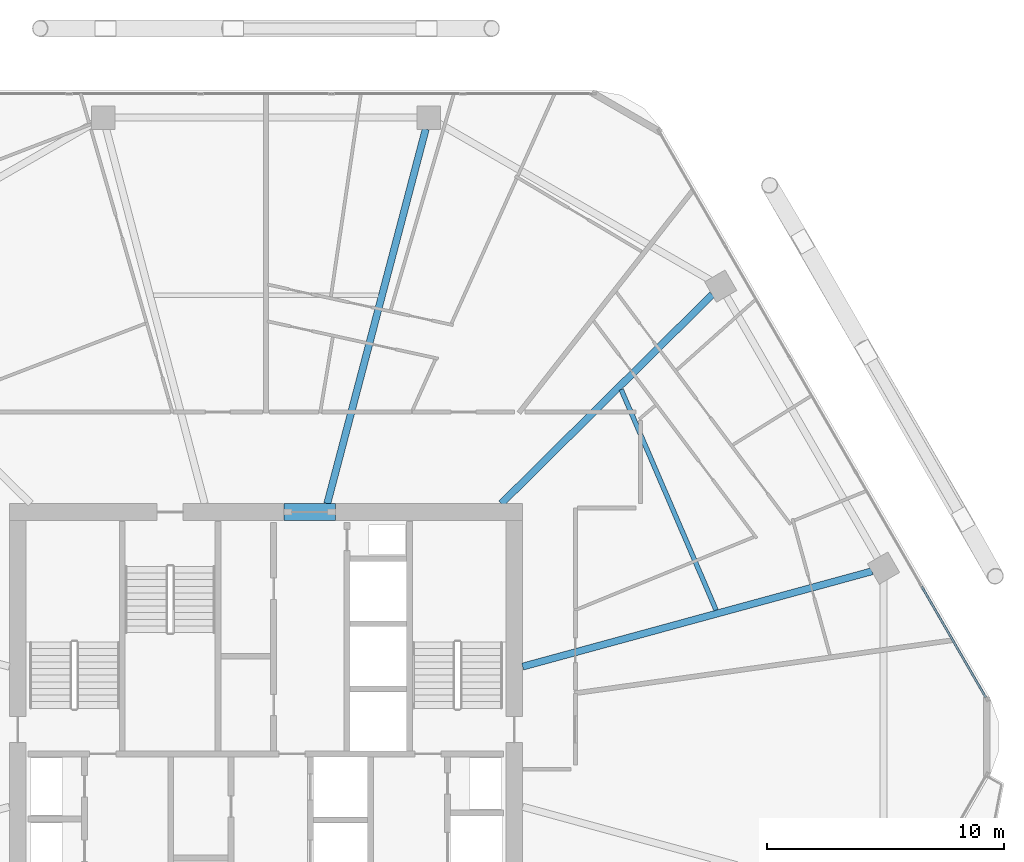
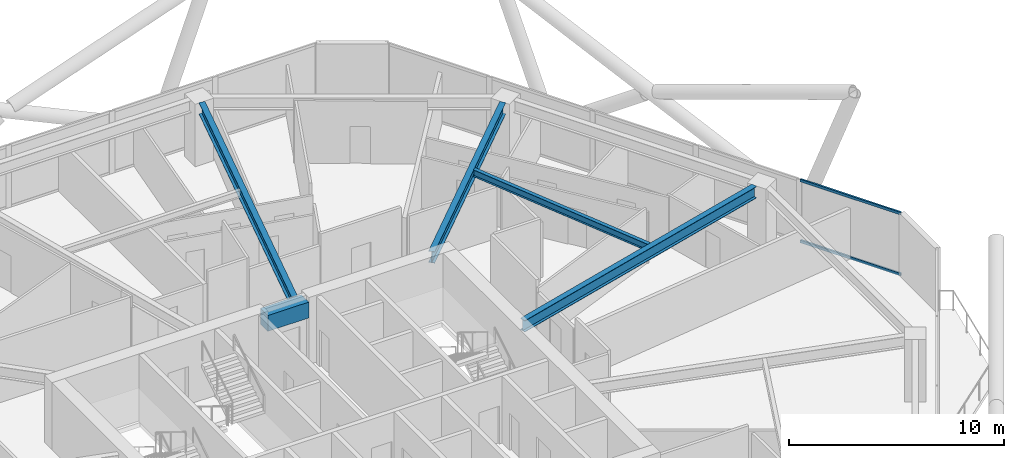
# One storey, part 15 of 28: 5 beams, 2 members, 1 element without a shape of its own.
"""IFC4 building model written with IfcOpenShell, lengths in metres."""

import ifcopenshell
import ifcopenshell.guid

model = None  # the IFC model being written
_history = None  # IfcOwnerHistory: only IFC2X3 demands one
_inside = {}  # id of a spatial element -> (the spatial element, [elements in it])
_under = {}  # id of a project, library or spatial element -> (it, [spatial elements below it])
_declared = {}  # id of a project -> (the project, [libraries it declares])
_typed = {}  # id of a type object -> (the type object, [elements of that type])
_made_of = {}  # id of a material, layer set ... -> (it, [elements and type objects made of it])


def new_model(schema):
    """Start an empty IFC model of exactly this schema.

    Asked for "IFC4X3", IfcOpenShell would pick the latest addendum, in which some entities
    have other attributes; the version numbers below select the first issue.
    IFC2X3 requires an IfcOwnerHistory on every rooted entity: one is made here for all.
    """
    global model, _history
    if schema == "IFC4X3":
        model = ifcopenshell.file(schema_version=(4, 3, 0, 0))
    else:
        model = ifcopenshell.file(schema=schema)
    _inside.clear()
    _under.clear()
    _declared.clear()
    _typed.clear()
    _made_of.clear()
    _history = None
    if model.schema == "IFC2X3":
        org = make("IfcOrganization", Name="unknown")
        user = make(
            "IfcPersonAndOrganization",
            ThePerson=make("IfcPerson", FamilyName="unknown"),
            TheOrganization=org,
        )
        app = make(
            "IfcApplication",
            ApplicationDeveloper=org,
            Version="unknown",
            ApplicationFullName="unknown",
            ApplicationIdentifier="unknown",
        )
        _history = make(
            "IfcOwnerHistory",
            OwningUser=user,
            OwningApplication=app,
            ChangeAction="ADDED",
            CreationDate=0,
        )
    return model


def make(cls, **values):
    """One entity of the class cls with the attributes given. An attribute that is None is left unset."""
    return model.create_entity(
        cls, **{name: value for name, value in values.items() if value is not None}
    )


def rooted(cls, **values):
    """An entity with a GlobalId (a new one), such as an element, a storey or a relation."""
    return make(cls, GlobalId=ifcopenshell.guid.new(), OwnerHistory=_history, **values)


def si_unit(unit_type, name, prefix=None):
    """IfcSIUnit, for example si_unit("LENGTHUNIT", "METRE", prefix="MILLI")."""
    return make("IfcSIUnit", UnitType=unit_type, Prefix=prefix, Name=name)


def assignment(units):
    """IfcUnitAssignment: the units of a project."""
    return None if units is None else make("IfcUnitAssignment", Units=units)


def point(xyz):
    """IfcCartesianPoint."""
    return None if xyz is None else make("IfcCartesianPoint", Coordinates=xyz)


def direction(xyz):
    """IfcDirection."""
    return None if xyz is None else make("IfcDirection", DirectionRatios=xyz)


def frame(location, z_axis=None, x_axis=None):
    """IfcAxis2Placement3D, a coordinate frame: its origin and axes. An axis left out is left unset."""
    return make(
        "IfcAxis2Placement3D",
        Location=point(location),
        Axis=direction(z_axis),
        RefDirection=direction(x_axis),
    )


def frame_2d(location, x_axis=None):
    """IfcAxis2Placement2D, a coordinate frame in the plane: its origin and x axis."""
    return make(
        "IfcAxis2Placement2D", Location=point(location), RefDirection=direction(x_axis)
    )


def origin():
    """The frame at (0, 0, 0) with its axes left unset."""
    return frame((0.0, 0.0, 0.0))


def origin_2d():
    """The frame at (0, 0) in the plane with its x axis left unset."""
    return frame_2d((0.0, 0.0))


def place(relative_to, where):
    """IfcLocalPlacement: puts the frame where relative to a parent placement (None: the world)."""
    return make(
        "IfcLocalPlacement", PlacementRelTo=relative_to, RelativePlacement=where
    )


def context(
    kind, dimensions, precision=None, world=None, true_north=None, identifier=None
):
    """IfcGeometricRepresentationContext, for example the 3D "Model" context."""
    return make(
        "IfcGeometricRepresentationContext",
        ContextIdentifier=identifier,
        ContextType=kind,
        CoordinateSpaceDimension=dimensions,
        Precision=precision,
        WorldCoordinateSystem=world,
        TrueNorth=true_north,
    )


def subcontext(parent, identifier, kind, view, scale=None):
    """IfcGeometricRepresentationSubContext, for example "Body" below "Model"."""
    return make(
        "IfcGeometricRepresentationSubContext",
        ContextIdentifier=identifier,
        ContextType=kind,
        ParentContext=parent,
        TargetScale=scale,
        TargetView=view,
    )


def project(units=None, contexts=None):
    """IfcProject with its units and contexts."""
    return rooted(
        "IfcProject",
        Name="project",
        RepresentationContexts=contexts,
        UnitsInContext=assignment(units),
    )


def spatial(cls, under=None, at=None, **own):
    """A site, building, storey or space (cls), placed at a placement, below another one or the project."""
    s = rooted(cls, ObjectPlacement=at, **own)
    if under is not None:
        _under.setdefault(under.id(), (under, []))[1].append(s)
    return s


def profile(cls, at=None, kind="AREA", **sizes):
    """A parametric profile (cls). Its sizes go by their IFC names, for example OverallWidth=200.0."""
    return make(cls, ProfileType=kind, Position=at, **sizes)


def rectangle(**sizes):
    """IfcRectangleProfileDef."""
    return profile("IfcRectangleProfileDef", **sizes)


def hollow_rectangle(**sizes):
    """IfcRectangleHollowProfileDef."""
    return profile("IfcRectangleHollowProfileDef", **sizes)


def i_section(**sizes):
    """IfcIShapeProfileDef."""
    return profile("IfcIShapeProfileDef", **sizes)


def extrude(swept, where, along, depth):
    """IfcExtrudedAreaSolid: the profile swept, set in the frame where, extruded along a direction by depth."""
    return make(
        "IfcExtrudedAreaSolid",
        SweptArea=swept,
        Position=where,
        ExtrudedDirection=direction(along),
        Depth=depth,
    )


def shape(context_of_items, identifier, shape_type, items):
    """IfcShapeRepresentation: the items that make up one representation, for example the "Body"."""
    return make(
        "IfcShapeRepresentation",
        ContextOfItems=context_of_items,
        RepresentationIdentifier=identifier,
        RepresentationType=shape_type,
        Items=items,
    )


def material(Name=None, Category=None):
    """IfcMaterial."""
    return make("IfcMaterial", Name=Name, Category=Category)


def material_profile(
    of_material, cross_section, Name=None, Category=None, Priority=None
):
    """IfcMaterialProfile: a cross section and its material."""
    return make(
        "IfcMaterialProfile",
        Name=Name,
        Material=of_material,
        Profile=cross_section,
        Priority=Priority,
        Category=Category,
    )


def profile_set(profiles, Name=None, composite=None):
    """IfcMaterialProfileSet."""
    return make(
        "IfcMaterialProfileSet",
        Name=Name,
        MaterialProfiles=profiles,
        CompositeProfile=composite,
    )


def made_of(thing, what):
    """Note that an element or type object is made of a material, layer set ...; save() writes the relation."""
    if what is not None:
        _made_of.setdefault(what.id(), (what, []))[1].append(thing)
    return thing


def type_object(cls, material=None, **own):
    """A type object (cls), such as IfcWallType, which elements share."""
    return made_of(rooted(cls, **own), material)


def element(
    cls,
    number,
    at=None,
    inside=None,
    cuts=None,
    type_object=None,
    material=None,
    context=None,
    identifier="Body",
    shape_type=None,
    held_by="IfcProductDefinitionShape",
    body=None,
    shapes=None,
    **own,
):
    """One element of the class cls, such as IfcWall. Its Tag is "e" and its number.

    at: its placement. inside: the storey or other place that contains it. cuts: it is an
    opening in that element (IfcRelVoidsElement). A single representation is given by context,
    identifier, shape_type and body (its items); several are given by shapes. held_by: the class
    of the entity that holds the representations. save() writes the other relations.
    """
    e = rooted(cls, Tag="e%d" % number, ObjectPlacement=at, **own)
    if body is not None:
        shapes = [shape(context, identifier, shape_type, body)]
    if shapes is not None:
        e.Representation = make(held_by, Representations=shapes)
    if inside is not None:
        _inside.setdefault(inside.id(), (inside, []))[1].append(e)
    if cuts is not None:
        rooted(
            "IfcRelVoidsElement", RelatingBuildingElement=cuts, RelatedOpeningElement=e
        )
    if type_object is not None:
        _typed.setdefault(type_object.id(), (type_object, []))[1].append(e)
    return made_of(e, material)


def aggregate(whole, parts):
    """IfcRelAggregates: a whole, such as a stair, and the parts it consists of."""
    return rooted("IfcRelAggregates", RelatingObject=whole, RelatedObjects=parts)


def save(model, path):
    """Write the relations noted so far, then the file.

    IfcRelAggregates (storeys below a building ...), IfcRelContainedInSpatialStructure (elements
    in a storey), IfcRelDefinesByType, IfcRelAssociatesMaterial and IfcRelDeclares: one each for
    every whole, place, type object, material and project.
    """
    for whole, parts in _under.values():
        aggregate(whole, parts)
    for where, things in _inside.values():
        rooted(
            "IfcRelContainedInSpatialStructure",
            RelatedElements=things,
            RelatingStructure=where,
        )
    for kind, things in _typed.values():
        rooted("IfcRelDefinesByType", RelatedObjects=things, RelatingType=kind)
    for what, things in _made_of.values():
        rooted("IfcRelAssociatesMaterial", RelatedObjects=things, RelatingMaterial=what)
    for by, libraries in _declared.values():
        rooted("IfcRelDeclares", RelatingContext=by, RelatedDefinitions=libraries)
    model.write(path)


model = new_model("IFC4")

# Units and contexts
model_context = context("Model", 3, precision=1e-05, world=origin(), true_north=direction((0.0, 1.0)))
body_context = subcontext(model_context, "Body", "Model", "MODEL_VIEW")
ifc_project = project(units=[si_unit("LENGTHUNIT", "METRE"), si_unit("AREAUNIT", "SQUARE_METRE"), si_unit("VOLUMEUNIT", "CUBIC_METRE"), si_unit("PLANEANGLEUNIT", "RADIAN"), si_unit("MASSUNIT", "GRAM", prefix="KILO")], contexts=[model_context])

# Site, building, storey
site_placement = place(None, origin())
site = spatial("IfcSite", under=ifc_project, at=site_placement, CompositionType="ELEMENT")
building_placement = place(site_placement, origin())
building = spatial("IfcBuilding", under=site, at=building_placement, Name="Zuhravey Tower", CompositionType="ELEMENT")
storey_placement = place(building_placement, frame((0.0, 0.0, 154.199951171875)))
storey = spatial("IfcBuildingStorey", under=building, at=storey_placement, Name="L38", CompositionType="ELEMENT", Elevation=154.199951171875)

# Beam
ifc_material_1 = material(Name="Concrete C60/75", Category="concrete")
ifc_material_profile_1 = material_profile(ifc_material_1, rectangle(XDim=0.699951171875, YDim=0.89990234375, at=origin_2d()), Name="RC-700x900")
ifc_profile_set_1 = profile_set([ifc_material_profile_1], Name="Concrete C60/75")
beam_type_1 = type_object("IfcBeamType", Name="Core Coupling Beam RC700x900", PredefinedType="LINTEL", material=ifc_profile_set_1)
beam_1_placement = place(storey_placement, frame((36.751953125, 41.5, 3.10009765625), z_axis=(1.0, 0.0, 0.0), x_axis=(0.0, 1.0, 0.0)))
element("IfcBeam", 1, at=beam_1_placement, inside=storey, type_object=beam_type_1, Name="L38 CB1 BM-L38-CB-N", PredefinedType="LINTEL", context=body_context, shape_type="SweptSolid", body=[
    extrude(rectangle(XDim=0.699951171875, YDim=0.89990234375, at=origin_2d()), origin(), (0.0, 0.0, 1.0), 2.196044921875),
])

# Curtain wall, members
ifc_material_2 = material(Name="Thermally broken anodised aluminium", Category="aluminium")
curtain_wall_type = type_object("IfcCurtainWallType", Name="Zone 1-2 Residential Curtain Wall CW3", PredefinedType="NOTDEFINED", material=ifc_material_2)
curtain_wall_placement = place(storey_placement, origin())
curtain_wall = element("IfcCurtainWall", 2, at=curtain_wall_placement, inside=storey, type_object=curtain_wall_type, Name="L38 CW3 CW-L38-F1-1", PredefinedType="NOTDEFINED")
ifc_material_3 = material(Name="Anodised aluminium", Category="aluminium")
ifc_material_profile_2 = material_profile(ifc_material_3, hollow_rectangle(XDim=0.090087890625, YDim=0.14990234375, WallThickness=0.0048828125, at=origin_2d()), Name="ALU-RHS-90x150x5")
ifc_profile_set_2 = profile_set([ifc_material_profile_2], Name="Anodised aluminium")
member_type = type_object("IfcMemberType", Name="Curtain-Wall Transom 90x150", PredefinedType="USERDEFINED", material=ifc_profile_set_2)
member_1_placement = place(storey_placement, frame((63.72216796875, 38.35009765625, 0.045166015625), z_axis=(0.499993332629, -0.866029253159, 0.0), x_axis=(0.866029253159, 0.499993332629, 0.0)))
member_1 = element("IfcMember", 3, at=member_1_placement, type_object=member_type, Name="CW3 transom 5.1", ObjectType="TRANSOM", PredefinedType="USERDEFINED", context=body_context, shape_type="SweptSolid", body=[
    extrude(hollow_rectangle(XDim=0.090087890625, YDim=0.14990234375, WallThickness=0.0048828125, at=origin_2d()), origin(), (0.0, 0.0, 1.0), 5.4091796875),
])
member_2_placement = place(storey_placement, frame((63.72216796875, 38.35009765625, 3.505126953125), z_axis=(0.499993332629, -0.866029253159, 0.0), x_axis=(0.866029253159, 0.499993332629, 0.0)))
member_2 = element("IfcMember", 4, at=member_2_placement, type_object=member_type, Name="CW3 transom 5.2", ObjectType="TRANSOM", PredefinedType="USERDEFINED", context=body_context, shape_type="SweptSolid", body=[
    extrude(hollow_rectangle(XDim=0.090087890625, YDim=0.14990234375, WallThickness=0.0048828125, at=origin_2d()), origin(), (0.0, 0.0, 1.0), 5.4091796875),
])
aggregate(curtain_wall, [member_1, member_2])

# Beams
ifc_material_4 = material(Name="Steel SM355", Category="steel")
ifc_material_profile_3 = material_profile(ifc_material_4, i_section(OverallWidth=0.300048828125, OverallDepth=0.64990234375, WebThickness=0.012939453125, FlangeThickness=0.02197265625, at=origin_2d()), Name="H-650x300x13x22")
ifc_profile_set_3 = profile_set([ifc_material_profile_3], Name="Steel SM355")
beam_type_2 = type_object("IfcBeamType", Name="Radial Primary Girder H650x300", PredefinedType="BEAM", material=ifc_profile_set_3)
beam_2_placement = place(storey_placement, frame((46.85302734375, 34.96240234375, 3.22509765625), z_axis=(0.964701601771, 0.263345437667, 0.0), x_axis=(-0.263345437667, 0.964701601771, 0.0)))
element("IfcBeam", 5, at=beam_2_placement, inside=storey, type_object=beam_type_2, Name="L38 RG2 BM-L38-RAD-01", PredefinedType="BEAM", context=body_context, shape_type="SweptSolid", body=[
    extrude(i_section(OverallWidth=0.300048828125, OverallDepth=0.64990234375, WebThickness=0.012939453125, FlangeThickness=0.02197265625, at=origin_2d()), origin(), (0.0, 0.0, 1.0), 15.309814453125),
])
beam_3_placement = place(storey_placement, frame((45.945556640625, 41.85302734375, 3.22509765625), z_axis=(0.71040353357, 0.703794586148, 0.0), x_axis=(-0.703794586148, 0.71040353357, 0.0)))
element("IfcBeam", 6, at=beam_3_placement, inside=storey, type_object=beam_type_2, Name="L38 RG2 BM-L38-RAD-02", PredefinedType="BEAM", context=body_context, shape_type="SweptSolid", body=[
    extrude(i_section(OverallWidth=0.300048828125, OverallDepth=0.64990234375, WebThickness=0.012939453125, FlangeThickness=0.02197265625, at=origin_2d()), origin(), (0.0, 0.0, 1.0), 12.559814453125),
])
beam_4_placement = place(storey_placement, frame((38.5908203125, 41.85302734375, 3.22509765625), z_axis=(0.254300244998, 0.967125320418, 0.0), x_axis=(-0.967125320418, 0.254300244998, 0.0)))
element("IfcBeam", 7, at=beam_4_placement, inside=storey, type_object=beam_type_2, Name="L38 RG2 BM-L38-RAD-03", PredefinedType="BEAM", context=body_context, shape_type="SweptSolid", body=[
    extrude(i_section(OverallWidth=0.300048828125, OverallDepth=0.64990234375, WebThickness=0.012939453125, FlangeThickness=0.02197265625, at=origin_2d()), origin(), (0.0, 0.0, 1.0), 16.371826171875),
])
ifc_material_profile_4 = material_profile(ifc_material_4, i_section(OverallWidth=0.199951171875, OverallDepth=0.39990234375, WebThickness=0.008056640625, FlangeThickness=0.012939453125, at=origin_2d()), Name="H-400x200x8x13")
ifc_profile_set_4 = profile_set([ifc_material_profile_4], Name="Steel SM355")
beam_type_3 = type_object("IfcBeamType", Name="Secondary Floor Joist H400x200", PredefinedType="JOIST", material=ifc_profile_set_4)
beam_5_placement = place(storey_placement, frame((55.029541015625, 37.3525390625, 3.35009765625), z_axis=(-0.395265853487, 0.918566766799, 0.0), x_axis=(-0.918566766799, -0.395265853487, 0.0)))
element("IfcBeam", 8, at=beam_5_placement, inside=storey, type_object=beam_type_3, Name="L38 SJ2 BM-L38-SJ-01-1", PredefinedType="JOIST", context=body_context, shape_type="SweptSolid", body=[
    extrude(i_section(OverallWidth=0.199951171875, OverallDepth=0.39990234375, WebThickness=0.008056640625, FlangeThickness=0.012939453125, at=origin_2d()), origin(), (0.0, 0.0, 1.0), 10.150146484375),
])

save(model, "model.ifc")
